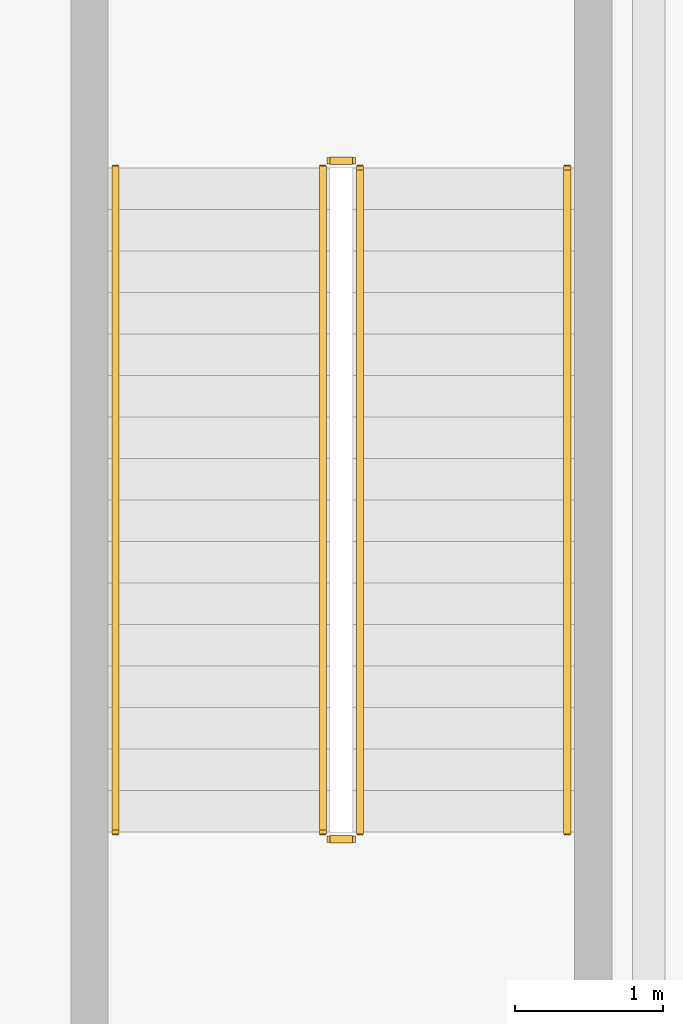
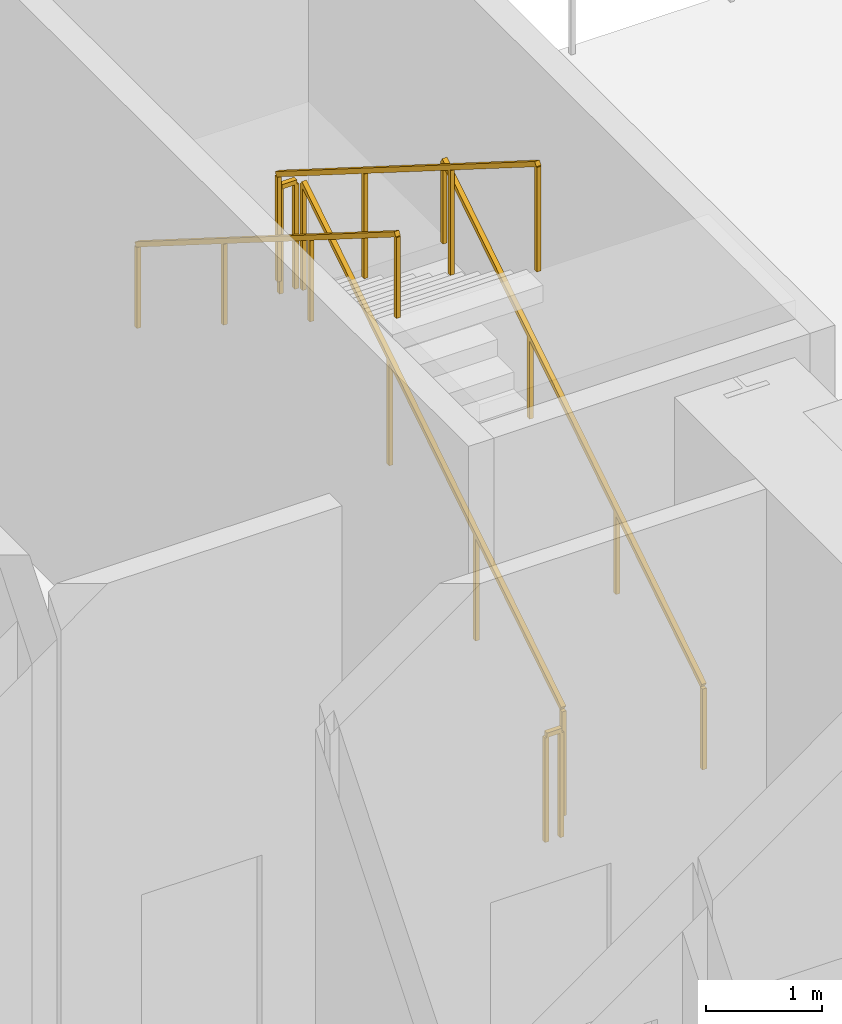
# One storey, part 11 of 16: 6 railings.
"""IFC4 building model written with IfcOpenShell, lengths in metres."""

from ifc_helpers import new_model, si_unit, direction, frame, origin, origin_2d, place, context, subcontext, project, spatial, rectangle, extrude, source, transform, mapped, material, type_object, element, save


model = new_model("IFC4")

# Units and contexts
model_context = context("Model", 3, precision=1e-05, world=origin(), true_north=direction((0.0, 1.0)))
body_context = subcontext(model_context, "Body", "Model", "MODEL_VIEW")
ifc_project = project(units=[si_unit("LENGTHUNIT", "METRE"), si_unit("AREAUNIT", "SQUARE_METRE"), si_unit("VOLUMEUNIT", "CUBIC_METRE"), si_unit("PLANEANGLEUNIT", "RADIAN"), si_unit("MASSUNIT", "GRAM", prefix="KILO")], contexts=[model_context])

# Site, building, storey
site_placement = place(None, origin())
site = spatial("IfcSite", under=ifc_project, at=site_placement, CompositionType="ELEMENT")
building_placement = place(site_placement, origin())
building = spatial("IfcBuilding", under=site, at=building_placement, Name="Vardaveli Station Tower", CompositionType="ELEMENT")
storey_placement = place(building_placement, frame((0.0, 0.0, -6.0)))
storey = spatial("IfcBuildingStorey", under=building, at=storey_placement, Name="B01", CompositionType="ELEMENT", Elevation=-6.0)

# Railings
ifc_material = material(Name="Brushed AISI 316 stainless steel", Category="steel")
railing_type_1 = type_object("IfcRailingType", Name="RL-GUARD-1150", PredefinedType="GUARDRAIL", material=ifc_material)
shared_shape_1 = source(origin(), body_context, "Body", "SweptSolid", [
    extrude(rectangle(XDim=0.048095703125, YDim=0.048095703125, at=origin_2d()), frame((0.0, 0.0, 1.1259765625), z_axis=(-1.0, 0.0, 0.0), x_axis=(0.0, -1.0, 0.0)), (0.0, 0.0, 1.0), 0.14990234375),
    extrude(rectangle(XDim=0.0419921875, YDim=0.0419921875, at=origin_2d()), origin(), (0.0, 0.0, 1.0), 1.101806640625),
    extrude(rectangle(XDim=0.0419921875, YDim=0.0419921875, at=origin_2d()), frame((-0.14990234375, 0.0, 0.0)), (0.0, 0.0, 1.0), 1.101806640625),
])
for number, where, name in (
    (1, (45.75, 36.929931640625, 3.0), "B01 ST-3 stair guard 2"),
    (2, (45.75, 32.35009765625, 0.0), "B01 ST-3 stair guard 4"),
):
    element("IfcRailing", number, at=place(storey_placement, frame(where)), inside=storey, type_object=railing_type_1, Name=name, PredefinedType="GUARDRAIL", context=body_context, shape_type="MappedRepresentation", body=[
        mapped(shared_shape_1, transform((0.0, 0.0, 0.0), scale=1.0)),
    ])
shared_shape_2 = source(origin(), body_context, "Body", "SweptSolid", [
    extrude(rectangle(XDim=0.048095703125, YDim=0.048095703125, at=origin_2d()), frame((0.0, 0.0, 1.1259765625), z_axis=(0.0, 0.845997938375, 0.533186166611), x_axis=(-1.0, 0.0, 0.0)), (0.0, 0.0, 1.0), 5.29541015625),
    extrude(rectangle(XDim=0.0419921875, YDim=0.0419921875, at=origin_2d()), origin(), (0.0, 0.0, 1.0), 1.101806640625),
    extrude(rectangle(XDim=0.0419921875, YDim=0.0419921875, at=origin_2d()), frame((0.0, 1.493408203125, 0.941162109375)), (0.0, 0.0, 1.0), 1.101806640625),
    extrude(rectangle(XDim=0.0419921875, YDim=0.0419921875, at=origin_2d()), frame((0.0, 2.986572265625, 1.88232421875)), (0.0, 0.0, 1.0), 1.101806640625),
    extrude(rectangle(XDim=0.0419921875, YDim=0.0419921875, at=origin_2d()), frame((0.0, 4.47998046875, 2.823486328125)), (0.0, 0.0, 1.0), 1.101806640625),
])
railing_1_placement = place(storey_placement, frame((45.800048828125, 32.39990234375, 0.176513671875)))
element("IfcRailing", 3, at=railing_1_placement, inside=storey, type_object=railing_type_1, Name="B01 ST-3 stair guard 1", PredefinedType="GUARDRAIL", context=body_context, shape_type="MappedRepresentation", body=[
    mapped(shared_shape_2, transform((0.0, 0.0, 0.0), scale=1.0)),
])
shared_shape_3 = source(origin(), body_context, "Body", "SweptSolid", [
    extrude(rectangle(XDim=0.048095703125, YDim=0.048095703125, at=origin_2d()), frame((0.0, 0.0, 1.1259765625), z_axis=(0.0, -0.845997938375, 0.533186166611), x_axis=(1.0, 0.0, 0.0)), (0.0, 0.0, 1.0), 5.29541015625),
    extrude(rectangle(XDim=0.0419921875, YDim=0.0419921875, at=origin_2d()), origin(), (0.0, 0.0, 1.0), 1.101806640625),
    extrude(rectangle(XDim=0.0419921875, YDim=0.0419921875, at=origin_2d()), frame((0.0, -1.493408203125, 0.941162109375)), (0.0, 0.0, 1.0), 1.101806640625),
    extrude(rectangle(XDim=0.0419921875, YDim=0.0419921875, at=origin_2d()), frame((0.0, -2.986572265625, 1.88232421875)), (0.0, 0.0, 1.0), 1.101806640625),
    extrude(rectangle(XDim=0.0419921875, YDim=0.0419921875, at=origin_2d()), frame((0.0, -4.47998046875, 2.823486328125)), (0.0, 0.0, 1.0), 1.101806640625),
])
railing_2_placement = place(storey_placement, frame((45.550048828125, 36.8798828125, 3.176513671875)))
element("IfcRailing", 4, at=railing_2_placement, inside=storey, type_object=railing_type_1, Name="B01 ST-3 stair guard 3", PredefinedType="GUARDRAIL", context=body_context, shape_type="MappedRepresentation", body=[
    mapped(shared_shape_3, transform((0.0, 0.0, 0.0), scale=1.0)),
])
railing_type_2 = type_object("IfcRailingType", Name="RL-HAND-900", PredefinedType="HANDRAIL", material=ifc_material)
shared_shape_4 = source(origin(), body_context, "Body", "SweptSolid", [
    extrude(rectangle(XDim=0.048095703125, YDim=0.048095703125, at=origin_2d()), frame((0.0, 0.0, 0.8759765625), z_axis=(0.0, 0.845997938375, 0.533186166611), x_axis=(-1.0, 0.0, 0.0)), (0.0, 0.0, 1.0), 5.29541015625),
    extrude(rectangle(XDim=0.0419921875, YDim=0.0419921875, at=origin_2d()), origin(), (0.0, 0.0, 1.0), 0.851806640625),
    extrude(rectangle(XDim=0.0419921875, YDim=0.0419921875, at=origin_2d()), frame((0.0, 1.493408203125, 0.941162109375)), (0.0, 0.0, 1.0), 0.851806640625),
    extrude(rectangle(XDim=0.0419921875, YDim=0.0419921875, at=origin_2d()), frame((0.0, 2.986572265625, 1.88232421875)), (0.0, 0.0, 1.0), 0.851806640625),
    extrude(rectangle(XDim=0.0419921875, YDim=0.0419921875, at=origin_2d()), frame((0.0, 4.47998046875, 2.823486328125)), (0.0, 0.0, 1.0), 0.851806640625),
])
railing_3_placement = place(storey_placement, frame((47.199951171875, 32.39990234375, 0.176513671875)))
element("IfcRailing", 5, at=railing_3_placement, inside=storey, type_object=railing_type_2, Name="B01 ST-3 stair handrail 1", PredefinedType="HANDRAIL", context=body_context, shape_type="MappedRepresentation", body=[
    mapped(shared_shape_4, transform((0.0, 0.0, 0.0), scale=1.0)),
])
shared_shape_5 = source(origin(), body_context, "Body", "SweptSolid", [
    extrude(rectangle(XDim=0.048095703125, YDim=0.048095703125, at=origin_2d()), frame((0.0, 0.0, 0.8759765625), z_axis=(0.0, -0.845997938375, 0.533186166611), x_axis=(1.0, 0.0, 0.0)), (0.0, 0.0, 1.0), 5.29541015625),
    extrude(rectangle(XDim=0.0419921875, YDim=0.0419921875, at=origin_2d()), origin(), (0.0, 0.0, 1.0), 0.851806640625),
    extrude(rectangle(XDim=0.0419921875, YDim=0.0419921875, at=origin_2d()), frame((0.0, -1.493408203125, 0.941162109375)), (0.0, 0.0, 1.0), 0.851806640625),
    extrude(rectangle(XDim=0.0419921875, YDim=0.0419921875, at=origin_2d()), frame((0.0, -2.986572265625, 1.88232421875)), (0.0, 0.0, 1.0), 0.851806640625),
    extrude(rectangle(XDim=0.0419921875, YDim=0.0419921875, at=origin_2d()), frame((0.0, -4.47998046875, 2.823486328125)), (0.0, 0.0, 1.0), 0.851806640625),
])
railing_4_placement = place(storey_placement, frame((44.14990234375, 36.8798828125, 3.176513671875)))
element("IfcRailing", 6, at=railing_4_placement, inside=storey, type_object=railing_type_2, Name="B01 ST-3 stair handrail 2", PredefinedType="HANDRAIL", context=body_context, shape_type="MappedRepresentation", body=[
    mapped(shared_shape_5, transform((0.0, 0.0, 0.0), scale=1.0)),
])

save(model, "model.ifc")
